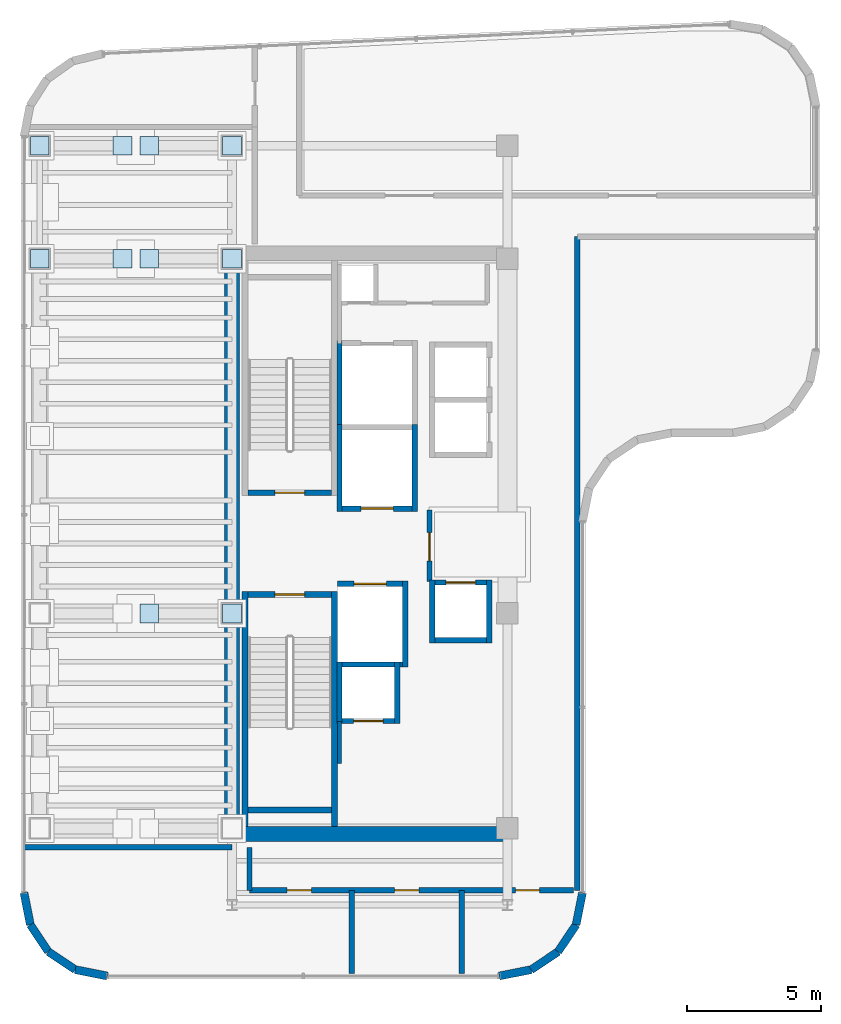
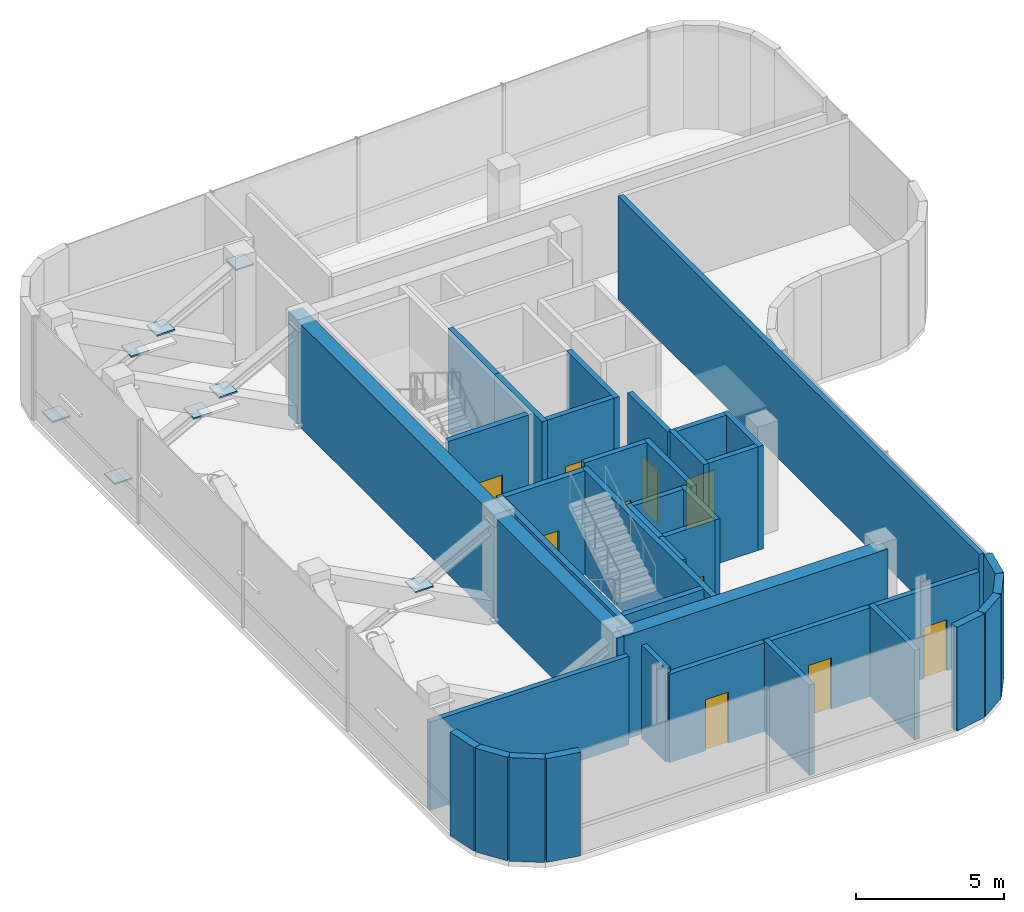
# One storey, part 16 of 19: 37 walls, 10 doors, 10 plates, 10 openings.
"""IFC4 building model written with IfcOpenShell, lengths in metres."""

from ifc_helpers import new_model, si_unit, direction, frame, frame_2d, origin, origin_2d, place, context, subcontext, project, spatial, rectangle, extrude, source, transform, mapped, material, layer, layer_set, type_object, element, fill, save


model = new_model("IFC4")

# Units and contexts
model_context = context("Model", 3, precision=1e-05, world=origin(), true_north=direction((0.0, 1.0)))
body_context = subcontext(model_context, "Body", "Model", "MODEL_VIEW")
ifc_project = project(units=[si_unit("LENGTHUNIT", "METRE"), si_unit("AREAUNIT", "SQUARE_METRE"), si_unit("VOLUMEUNIT", "CUBIC_METRE"), si_unit("PLANEANGLEUNIT", "RADIAN"), si_unit("MASSUNIT", "GRAM", prefix="KILO")], contexts=[model_context])

# Site, building, storey
site_placement = place(None, origin())
site = spatial("IfcSite", under=ifc_project, at=site_placement, CompositionType="ELEMENT")
building_placement = place(site_placement, origin())
building = spatial("IfcBuilding", under=site, at=building_placement, Name="Valdorenza Pilgrim Sanctuary Tower", CompositionType="ELEMENT")
storey_placement = place(building_placement, frame((0.0, 0.0, 261.5)))
storey = spatial("IfcBuildingStorey", under=building, at=storey_placement, Name="L68", CompositionType="ELEMENT", Elevation=261.5)

# Plates
ifc_material_1 = material(Name="Steel ASTM A572 Grade 42", Category="steel")
ifc_layer_1 = layer(ifc_material_1, 0.06005859375, Name="Steel ASTM A572 Grade 42")
ifc_layer_set_1 = layer_set([ifc_layer_1], Name="Steel ASTM A572 Grade 42")
plate_type = type_object("IfcPlateType", Name="PLT-CAP-60", PredefinedType="SHEET", material=ifc_layer_set_1)
shared_shape = source(origin(), body_context, "Body", "SweptSolid", [
    extrude(rectangle(XDim=0.699951171875, YDim=0.699951171875, at=origin_2d()), origin(), (0.0, 0.0, 1.0), 0.06005859375),
])
for number, where, z_axis, x_axis, name in (
    (1, (-22.64990234375, -2.60009765625, 3.919921875), (0.0, 0.0, 1.0), (1.0, 0.0, 0.0), "L68 Outrigger Truss Counter-Diagonal WA2B Lower Segment End Connection Plate 1"),
    (2, (-25.72998046875, -2.60009765625, 2.3046875), (0.0, 0.0, 1.0), (1.0, 0.0, 0.0), "L68 Outrigger Truss Counter-Diagonal WA2B Lower Segment End Connection Plate 2"),
    (3, (-22.64990234375, 10.60009765625, 3.919921875), (0.0, 0.0, 1.0), (1.0, 0.0, 0.0), "L68 Outrigger Truss Counter-Diagonal WA3B Lower Segment End Connection Plate 1"),
    (4, (-25.72998046875, 10.60009765625, 2.3046875), (0.0, 0.0, 1.0), (1.0, 0.0, 0.0), "L68 Outrigger Truss Counter-Diagonal WA3B Lower Segment End Connection Plate 2"),
    (5, (-26.719970703125, 10.60009765625, 1.785400390625), (0.0, 0.0, 1.0), (1.0, 0.0, 0.0), "L68 Outrigger Truss Counter-Diagonal WA3B Upper Segment End Connection Plate 1"),
    (6, (-29.800048828125, 10.60009765625, 0.169921875), (0.0, 0.0, 1.0), (1.0, 0.0, 0.0), "L68 Outrigger Truss Counter-Diagonal WA3B Upper Segment End Connection Plate 2"),
    (7, (-22.64990234375, 14.800048828125, 3.919921875), (0.0, 0.0, 1.0), (1.0, 0.0, 0.0), "L68 Outrigger Truss Counter-Diagonal WA4B Lower Segment End Connection Plate 1"),
    (8, (-25.72998046875, 14.800048828125, 2.3046875), (0.0, 0.0, 1.0), (1.0, 0.0, 0.0), "L68 Outrigger Truss Counter-Diagonal WA4B Lower Segment End Connection Plate 2"),
    (9, (-26.719970703125, 14.800048828125, 1.785400390625), (0.0, 0.0, 1.0), (1.0, 0.0, 0.0), "L68 Outrigger Truss Counter-Diagonal WA4B Upper Segment End Connection Plate 1"),
    (10, (-29.800048828125, 14.800048828125, 0.169921875), (0.0, 0.0, 1.0), (1.0, 0.0, 0.0), "L68 Outrigger Truss Counter-Diagonal WA4B Upper Segment End Connection Plate 2"),
):
    element("IfcPlate", number, at=place(storey_placement, frame(where, z_axis=z_axis, x_axis=x_axis)), inside=storey, type_object=plate_type, Name=name, PredefinedType="SHEET", context=body_context, shape_type="MappedRepresentation", body=[
        mapped(shared_shape, transform((0.0, 0.0, 0.0), x_axis=(1.0, 0.0, 0.0), y_axis=(0.0, 1.0, 0.0), z_axis=(0.0, 0.0, 1.0), scale=1.0)),
    ])

# Walls
ifc_material_2 = material(Name="Acoustic twin-stud gypsum partition", Category="gypsum")
ifc_layer_2 = layer(ifc_material_2, 0.159912109375, Name="Acoustic twin-stud gypsum partition")
ifc_layer_set_2 = layer_set([ifc_layer_2], Name="Acoustic twin-stud gypsum partition")
wall_type_1 = type_object("IfcWallType", Name="WAL-COR-160", PredefinedType="PARTITIONING", material=ifc_layer_set_2)
wall_1_placement = place(storey_placement, frame((-18.64990234375, -8.179931640625, 0.0), z_axis=(0.0, 0.0, 1.0), x_axis=(0.0, 1.0, 0.0)))
element("IfcWall", 11, at=wall_1_placement, inside=storey, type_object=wall_type_1, Name="L68 Core A South Lift Hall West Wall", PredefinedType="PARTITIONING", context=body_context, shape_type="SweptSolid", body=[
    extrude(rectangle(XDim=1.559814453125, YDim=0.159912109375, at=frame_2d((0.77978515625, 0.0))), origin(), (0.0, 0.0, 1.0), 4.260009765625),
])
ifc_material_3 = material(Name="Concrete C50/60", Category="concrete")
ifc_layer_3 = layer(ifc_material_3, 0.550048828125, Name="Concrete C50/60")
ifc_layer_set_3 = layer_set([ifc_layer_3], Name="Concrete C50/60")
wall_type_2 = type_object("IfcWallType", Name="WAL-COR-550", PredefinedType="SHEAR", material=ifc_layer_set_3)
wall_2_placement = place(storey_placement, frame((-22.64990234375, -11.074951171875, 0.0), z_axis=(0.0, 0.0, 1.0), x_axis=(0.0, 1.0, 0.0)))
element("IfcWall", 12, at=wall_2_placement, inside=storey, type_object=wall_type_2, Name="L68 Split Core A Shear Wall W", PredefinedType="SHEAR", context=body_context, shape_type="SweptSolid", body=[
    extrude(rectangle(XDim=22.14990234375, YDim=0.550048828125, at=frame_2d((11.074951171875, 0.0))), origin(), (0.0, 0.0, 1.0), 4.260009765625),
])
wall_3_placement = place(storey_placement, frame((-22.64990234375, -10.800048828125, 0.0), z_axis=(0.0, 0.0, 1.0), x_axis=(1.0, 0.0, 0.0)))
element("IfcWall", 13, at=wall_3_placement, inside=storey, type_object=wall_type_2, Name="L68 Split Core A Shear Wall S", PredefinedType="SHEAR", context=body_context, shape_type="SweptSolid", body=[
    extrude(rectangle(XDim=10.25, YDim=0.550048828125, at=frame_2d((5.125, 0.0))), origin(), (0.0, 0.0, 1.0), 4.260009765625),
])
ifc_material_4 = material(Name="Honed travertine limestone", Category="masonry")
ifc_layer_4 = layer(ifc_material_4, 0.300048828125, Name="Honed travertine limestone")
ifc_layer_set_4 = layer_set([ifc_layer_4], Name="Honed travertine limestone")
wall_type_3 = type_object("IfcWallType", Name="WAL-EXT-300", PredefinedType="SOLIDWALL", material=ifc_layer_set_4)
wall_4_placement = place(storey_placement, frame((-9.610107421875, -12.9892578125, 0.0), z_axis=(0.0, 0.0, 1.0), x_axis=(-0.194996050505, -0.980804027463, 0.0)))
element("IfcWall", 14, at=wall_4_placement, inside=storey, type_object=wall_type_3, Name="L68 Rounded Wind-Corner Stone Pier 22", PredefinedType="SOLIDWALL", context=body_context, shape_type="SweptSolid", body=[
    extrude(rectangle(XDim=1.2158203125, YDim=0.300048828125, at=frame_2d((0.60791015625, 0.0))), origin(), (0.0, 0.0, 1.0), 4.260009765625),
])
for number, where, z_axis, x_axis, name in (
    (15, (-9.84716796875, -14.181640625, 0.0), (0.0, 0.0, 1.0), (-0.555635100982, -0.831426265255, 0.0), "L68 Rounded Wind-Corner Stone Pier 23"),
    (16, (-10.5166015625, -15.183349609375, 0.0), (0.0, 0.0, 1.0), (-0.831426265255, -0.555635100982, 0.0), "L68 Rounded Wind-Corner Stone Pier 24"),
):
    element("IfcWall", number, at=place(storey_placement, frame(where, z_axis=z_axis, x_axis=x_axis)), inside=storey, type_object=wall_type_3, Name=name, PredefinedType="SOLIDWALL", context=body_context, shape_type="SweptSolid", body=[
        extrude(rectangle(XDim=1.204833984375, YDim=0.300048828125, at=frame_2d((0.6025390625, 0.0))), origin(), (0.0, 0.0, 1.0), 4.260009765625),
    ])
for number, where, z_axis, x_axis, name in (
    (17, (-11.518310546875, -15.852783203125, 0.0), (0.0, 0.0, 1.0), (-0.980765602568, -0.195189223115, 0.0), "L68 Rounded Wind-Corner Stone Pier 25"),
    (18, (-27.289306640625, -16.090087890625, 0.0), (0.0, 0.0, 1.0), (-0.980765602568, 0.195189223115, 0.0), "L68 Rounded Wind-Corner Stone Pier 27"),
):
    element("IfcWall", number, at=place(storey_placement, frame(where, z_axis=z_axis, x_axis=x_axis)), inside=storey, type_object=wall_type_3, Name=name, PredefinedType="SOLIDWALL", context=body_context, shape_type="SweptSolid", body=[
        extrude(rectangle(XDim=1.2158203125, YDim=0.300048828125, at=frame_2d((0.60791015625, 0.0))), origin(), (0.0, 0.0, 1.0), 4.260009765625),
    ])
for number, where, z_axis, x_axis, name in (
    (19, (-28.481689453125, -15.852783203125, 0.0), (0.0, 0.0, 1.0), (-0.831426265255, 0.555635100982, 0.0), "L68 Rounded Wind-Corner Stone Pier 28"),
    (20, (-29.4833984375, -15.183349609375, 0.0), (0.0, 0.0, 1.0), (-0.555635100982, 0.831426265255, 0.0), "L68 Rounded Wind-Corner Stone Pier 29"),
):
    element("IfcWall", number, at=place(storey_placement, frame(where, z_axis=z_axis, x_axis=x_axis)), inside=storey, type_object=wall_type_3, Name=name, PredefinedType="SOLIDWALL", context=body_context, shape_type="SweptSolid", body=[
        extrude(rectangle(XDim=1.204833984375, YDim=0.300048828125, at=frame_2d((0.6025390625, 0.0))), origin(), (0.0, 0.0, 1.0), 4.260009765625),
    ])
wall_5_placement = place(storey_placement, frame((-30.15283203125, -14.181640625, 0.0), z_axis=(0.0, 0.0, 1.0), x_axis=(-0.194996050505, 0.980804027463, 0.0)))
element("IfcWall", 21, at=wall_5_placement, inside=storey, type_object=wall_type_3, Name="L68 Rounded Wind-Corner Stone Pier 30", PredefinedType="SOLIDWALL", context=body_context, shape_type="SweptSolid", body=[
    extrude(rectangle(XDim=1.2158203125, YDim=0.300048828125, at=frame_2d((0.60791015625, 0.0))), origin(), (0.0, 0.0, 1.0), 4.260009765625),
])

# Wall, opening, door
ifc_material_5 = material(Name="Gypsum shaftwall partition", Category="gypsum")
ifc_layer_5 = layer(ifc_material_5, 0.199951171875, Name="Gypsum shaftwall partition")
ifc_layer_set_5 = layer_set([ifc_layer_5], Name="Gypsum shaftwall partition")
wall_type_4 = type_object("IfcWallType", Name="WAL-FFL-200", PredefinedType="PARTITIONING", material=ifc_layer_set_5)
wall_6_placement = place(storey_placement, frame((-15.300048828125, -1.419921875, 0.0), z_axis=(0.0, 0.0, 1.0), x_axis=(0.0, 1.0, 0.0)))
wall_6 = element("IfcWall", 22, at=wall_6_placement, inside=storey, type_object=wall_type_4, Name="L68 Core A Firefighting Lobby East Wall", PredefinedType="PARTITIONING", context=body_context, shape_type="SweptSolid", body=[
    extrude(rectangle(XDim=2.669921875, YDim=0.199951171875, at=frame_2d((1.3349609375, 0.0))), origin(), (0.0, 0.0, 1.0), 4.260009765625),
])
opening_1_placement = place(wall_6_placement, frame((0.780029296875, 0.0, 0.0)))
opening_1 = element("IfcOpeningElement", 23, at=opening_1_placement, cuts=wall_6, Name="Opening DR-FL1", PredefinedType="OPENING", context=body_context, shape_type="SweptSolid", body=[
    extrude(rectangle(XDim=1.050048828125, YDim=2.14990234375, at=frame_2d((0.52490234375, 1.074951171875))), frame((0.0, 0.11474609375, 0.0), z_axis=(0.0, -1.0, 0.0), x_axis=(1.0, 0.0, 0.0)), (0.0, 0.0, 1.0), 0.229736328125),
])
ifc_material_6 = material(Name="Painted galvanized steel", Category="steel")
door_type_1 = type_object("IfcDoorType", Name="DR-FFL-1050", OperationType="NOTDEFINED", PredefinedType="DOOR", material=ifc_material_6)
door_1_placement = place(opening_1_placement, origin())
door_1 = element("IfcDoor", 24, at=door_1_placement, inside=storey, type_object=door_type_1, Name="L68 Core A Firefighting Lobby Door", OperationType="SINGLE_SWING_RIGHT", OverallHeight=2.14990234375, OverallWidth=1.050048828125, PredefinedType="DOOR", context=body_context, shape_type="SweptSolid", body=[
    extrude(rectangle(XDim=1.050048828125, YDim=2.14990234375, at=frame_2d((0.52490234375, 1.074951171875))), frame((0.0, 0.02490234375, 0.0), z_axis=(0.0, -1.0, 0.0), x_axis=(1.0, 0.0, 0.0)), (0.0, 0.0, 1.0), 0.050048828125),
])
fill(opening_1, door_1)

# Wall
wall_7_placement = place(storey_placement, frame((-30.389892578125, -11.300048828125, 0.0), z_axis=(0.0, 0.0, 1.0), x_axis=(1.0, 0.0, 0.0)))
element("IfcWall", 25, at=wall_7_placement, inside=storey, type_object=wall_type_4, Name="L68 L68 Outrigger Bay South Wall", PredefinedType="PARTITIONING", context=body_context, shape_type="SweptSolid", body=[
    extrude(rectangle(XDim=7.739990234375, YDim=0.199951171875, at=frame_2d((3.8701171875, 0.0))), origin(), (0.0, 0.0, 1.0), 3.634033203125),
])

# Wall, openings, doors
wall_8_placement = place(storey_placement, frame((-22.0, -12.89990234375, 0.0), z_axis=(0.0, 0.0, 1.0), x_axis=(1.0, 0.0, 0.0)))
wall_8 = element("IfcWall", 26, at=wall_8_placement, inside=storey, type_object=wall_type_4, Name="L68 L68 South Plant Corridor Wall", PredefinedType="PARTITIONING", context=body_context, shape_type="SweptSolid", body=[
    extrude(rectangle(XDim=12.050048828125, YDim=0.199951171875, at=frame_2d((6.02490234375, 0.0))), origin(), (0.0, 0.0, 1.0), 3.634033203125),
])
opening_2_placement = place(wall_8_placement, frame((1.39990234375, 0.0, 0.0)))
opening_2 = element("IfcOpeningElement", 27, at=opening_2_placement, cuts=wall_8, Name="Opening DR-RM1", PredefinedType="OPENING", context=body_context, shape_type="SweptSolid", body=[
    extrude(rectangle(XDim=0.89990234375, YDim=2.10009765625, at=frame_2d((0.449951171875, 1.050048828125))), frame((0.0, 0.11474609375, 0.0), z_axis=(0.0, -1.0, 0.0), x_axis=(1.0, 0.0, 0.0)), (0.0, 0.0, 1.0), 0.229736328125),
])
opening_3_placement = place(wall_8_placement, frame((5.39990234375, 0.0, 0.0)))
opening_3 = element("IfcOpeningElement", 28, at=opening_3_placement, cuts=wall_8, Name="Opening DR-RM1", PredefinedType="OPENING", context=body_context, shape_type="SweptSolid", body=[
    extrude(rectangle(XDim=0.89990234375, YDim=2.10009765625, at=frame_2d((0.449951171875, 1.050048828125))), frame((0.0, 0.11474609375, 0.0), z_axis=(0.0, -1.0, 0.0), x_axis=(1.0, 0.0, 0.0)), (0.0, 0.0, 1.0), 0.229736328125),
])
opening_4_placement = place(wall_8_placement, frame((9.89990234375, 0.0, 0.0)))
opening_4 = element("IfcOpeningElement", 29, at=opening_4_placement, cuts=wall_8, Name="Opening DR-RM1", PredefinedType="OPENING", context=body_context, shape_type="SweptSolid", body=[
    extrude(rectangle(XDim=0.89990234375, YDim=2.10009765625, at=frame_2d((0.449951171875, 1.050048828125))), frame((0.0, 0.11474609375, 0.0), z_axis=(0.0, -1.0, 0.0), x_axis=(1.0, 0.0, 0.0)), (0.0, 0.0, 1.0), 0.229736328125),
])
ifc_material_7 = material(Name="Solid-core European oak timber", Category="wood")
door_type_2 = type_object("IfcDoorType", Name="DR-ROOM-900", OperationType="NOTDEFINED", PredefinedType="DOOR", material=ifc_material_7)
door_2_placement = place(opening_2_placement, origin())
door_2 = element("IfcDoor", 30, at=door_2_placement, inside=storey, type_object=door_type_2, Name="L68 L68 Chilled-Water Booster Plant Room Door", OperationType="SINGLE_SWING_RIGHT", OverallHeight=2.10009765625, OverallWidth=0.89990234375, PredefinedType="DOOR", context=body_context, shape_type="SweptSolid", body=[
    extrude(rectangle(XDim=0.89990234375, YDim=2.10009765625, at=frame_2d((0.449951171875, 1.050048828125))), frame((0.0, 0.02490234375, 0.0), z_axis=(0.0, -1.0, 0.0), x_axis=(1.0, 0.0, 0.0)), (0.0, 0.0, 1.0), 0.050048828125),
])
fill(opening_2, door_2)
door_3_placement = place(opening_3_placement, frame((0.89990234375, 0.0, 0.0), z_axis=(0.0, 0.0, 1.0), x_axis=(-1.0, 0.0, 0.0)))
door_3 = element("IfcDoor", 31, at=door_3_placement, inside=storey, type_object=door_type_2, Name="L68 L68 Primary Air-Handling Plant Room Door", OperationType="SINGLE_SWING_LEFT", OverallHeight=2.10009765625, OverallWidth=0.89990234375, PredefinedType="DOOR", context=body_context, shape_type="SweptSolid", body=[
    extrude(rectangle(XDim=0.89990234375, YDim=2.10009765625, at=frame_2d((0.449951171875, 1.050048828125))), frame((0.0, 0.02490234375, 0.0), z_axis=(0.0, -1.0, 0.0), x_axis=(1.0, 0.0, 0.0)), (0.0, 0.0, 1.0), 0.050048828125),
])
fill(opening_3, door_3)
door_4_placement = place(opening_4_placement, origin())
door_4 = element("IfcDoor", 32, at=door_4_placement, inside=storey, type_object=door_type_2, Name="L68 L68 Electrical Substation Transformer Plant Room Door", OperationType="SINGLE_SWING_RIGHT", OverallHeight=2.10009765625, OverallWidth=0.89990234375, PredefinedType="DOOR", context=body_context, shape_type="SweptSolid", body=[
    extrude(rectangle(XDim=0.89990234375, YDim=2.10009765625, at=frame_2d((0.449951171875, 1.050048828125))), frame((0.0, 0.02490234375, 0.0), z_axis=(0.0, -1.0, 0.0), x_axis=(1.0, 0.0, 0.0)), (0.0, 0.0, 1.0), 0.050048828125),
])
fill(opening_4, door_4)

# Walls
for number, where, z_axis, x_axis, name in (
    (33, (-18.199951171875, -16.0, 0.0), (0.0, 0.0, 1.0), (0.0, 1.0, 0.0), "L68 L68 South Plant Divider 1"),
    (34, (-14.10009765625, -16.0, 0.0), (0.0, 0.0, 1.0), (0.0, 1.0, 0.0), "L68 L68 South Plant Divider 2"),
):
    element("IfcWall", number, at=place(storey_placement, frame(where, z_axis=z_axis, x_axis=x_axis)), inside=storey, type_object=wall_type_4, Name=name, PredefinedType="PARTITIONING", context=body_context, shape_type="SweptSolid", body=[
        extrude(rectangle(XDim=3.10009765625, YDim=0.199951171875, at=frame_2d((1.550048828125, 0.0))), origin(), (0.0, 0.0, 1.0), 3.7060546875),
    ])
wall_9_placement = place(storey_placement, frame((-22.0, -12.89990234375, 0.0), z_axis=(0.0, 0.0, 1.0), x_axis=(0.0, 1.0, 0.0)))
element("IfcWall", 35, at=wall_9_placement, inside=storey, type_object=wall_type_4, Name="L68 L68 South Corridor West End", PredefinedType="PARTITIONING", context=body_context, shape_type="SweptSolid", body=[
    extrude(rectangle(XDim=1.599853515625, YDim=0.199951171875, at=frame_2d((0.7998046875, 0.0))), origin(), (0.0, 0.0, 1.0), 3.839111328125),
])
wall_10_placement = place(storey_placement, frame((-9.800048828125, -12.89990234375, 0.0), z_axis=(0.0, 0.0, 1.0), x_axis=(0.0, 1.0, 0.0)))
element("IfcWall", 36, at=wall_10_placement, inside=storey, type_object=wall_type_4, Name="L68 L68 Core A East Corridor Wall", PredefinedType="PARTITIONING", context=body_context, shape_type="SweptSolid", body=[
    extrude(rectangle(XDim=24.31982421875, YDim=0.199951171875, at=frame_2d((12.159912109375, 0.0))), origin(), (0.0, 0.0, 1.0), 4.260009765625),
])
ifc_material_8 = material(Name="Autoclaved aerated concrete blockwork", Category="masonry")
ifc_layer_6 = layer(ifc_material_8, 0.199951171875, Name="Autoclaved aerated concrete blockwork")
ifc_layer_set_6 = layer_set([ifc_layer_6], Name="Autoclaved aerated concrete blockwork")
wall_type_5 = type_object("IfcWallType", Name="WAL-SHF-200", PredefinedType="MOVABLE", material=ifc_layer_set_6)
for number, where, z_axis, x_axis, name in (
    (37, (-18.64990234375, 1.199951171875, 0.0), (0.0, 0.0, 1.0), (0.0, 1.0, 0.0), "L68 Lift FFL-01 Hoistway Wall West"),
    (38, (-15.85009765625, 1.199951171875, 0.0), (0.0, 0.0, 1.0), (0.0, 1.0, 0.0), "L68 Lift FFL-01 Hoistway Wall East"),
):
    element("IfcWall", number, at=place(storey_placement, frame(where, z_axis=z_axis, x_axis=x_axis)), inside=storey, type_object=wall_type_5, Name=name, PredefinedType="MOVABLE", context=body_context, shape_type="SweptSolid", body=[
        extrude(rectangle(XDim=3.22509765625, YDim=0.199951171875, at=frame_2d((1.612548828125, 0.0))), origin(), (0.0, 0.0, 1.0), 4.260009765625),
    ])

# Wall, opening, door
wall_11_placement = place(storey_placement, frame((-18.550048828125, 1.300048828125, 0.0), z_axis=(0.0, 0.0, 1.0), x_axis=(1.0, 0.0, 0.0)))
wall_11 = element("IfcWall", 39, at=wall_11_placement, inside=storey, type_object=wall_type_5, Name="L68 Lift FFL-01 Hoistway Wall South", PredefinedType="MOVABLE", context=body_context, shape_type="SweptSolid", body=[
    extrude(rectangle(XDim=2.60009765625, YDim=0.199951171875, at=frame_2d((1.300048828125, 0.0))), origin(), (0.0, 0.0, 1.0), 4.260009765625),
])
opening_5_placement = place(wall_11_placement, frame((0.699951171875, 0.0, 0.0)))
opening_5 = element("IfcOpeningElement", 40, at=opening_5_placement, cuts=wall_11, Name="Opening LD-02", PredefinedType="OPENING", context=body_context, shape_type="SweptSolid", body=[
    extrude(rectangle(XDim=1.199951171875, YDim=2.10009765625, at=frame_2d((0.60009765625, 1.050048828125))), frame((0.0, 0.11474609375, 0.0), z_axis=(0.0, -1.0, 0.0), x_axis=(1.0, 0.0, 0.0)), (0.0, 0.0, 1.0), 0.229736328125),
])
ifc_material_9 = material(Name="Brushed stainless steel Grade 316", Category="steel")
door_type_3 = type_object("IfcDoorType", Name="DR-LFT-1200", OperationType="DOUBLE_DOOR_SLIDING", PredefinedType="DOOR", material=ifc_material_9)
door_5_placement = place(opening_5_placement, origin())
door_5 = element("IfcDoor", 41, at=door_5_placement, inside=storey, type_object=door_type_3, Name="L68 Lift FFL-01 Sliding Landing Door", OperationType="DOUBLE_DOOR_SLIDING", OverallHeight=2.10009765625, OverallWidth=1.199951171875, PredefinedType="DOOR", context=body_context, shape_type="SweptSolid", body=[
    extrude(rectangle(XDim=1.199951171875, YDim=2.10009765625, at=frame_2d((0.60009765625, 1.050048828125))), frame((0.0, 0.02490234375, 0.0), z_axis=(0.0, -1.0, 0.0), x_axis=(1.0, 0.0, 0.0)), (0.0, 0.0, 1.0), 0.050048828125),
])
fill(opening_5, door_5)

# Walls
wall_12_placement = place(storey_placement, frame((-16.199951171875, -4.60009765625, 0.0), z_axis=(0.0, 0.0, 1.0), x_axis=(0.0, 1.0, 0.0)))
element("IfcWall", 42, at=wall_12_placement, inside=storey, type_object=wall_type_5, Name="L68 Lift FFL-02 Hoistway Wall East", PredefinedType="MOVABLE", context=body_context, shape_type="SweptSolid", body=[
    extrude(rectangle(XDim=3.2001953125, YDim=0.199951171875, at=frame_2d((1.60009765625, 0.0))), origin(), (0.0, 0.0, 1.0), 4.260009765625),
])
wall_13_placement = place(storey_placement, frame((-18.719970703125, -4.5, 0.0), z_axis=(0.0, 0.0, 1.0), x_axis=(1.0, 0.0, 0.0)))
element("IfcWall", 43, at=wall_13_placement, inside=storey, type_object=wall_type_5, Name="L68 Lift FFL-02 Hoistway Wall South", PredefinedType="MOVABLE", context=body_context, shape_type="SweptSolid", body=[
    extrude(rectangle(XDim=2.419921875, YDim=0.199951171875, at=frame_2d((1.2099609375, 0.0))), origin(), (0.0, 0.0, 1.0), 4.260009765625),
])

# Wall, opening, door
wall_14_placement = place(storey_placement, frame((-18.719970703125, -1.5, 0.0), z_axis=(0.0, 0.0, 1.0), x_axis=(1.0, 0.0, 0.0)))
wall_14 = element("IfcWall", 44, at=wall_14_placement, inside=storey, type_object=wall_type_5, Name="L68 Lift FFL-02 Hoistway Wall North", PredefinedType="MOVABLE", context=body_context, shape_type="SweptSolid", body=[
    extrude(rectangle(XDim=2.419921875, YDim=0.199951171875, at=frame_2d((1.2099609375, 0.0))), origin(), (0.0, 0.0, 1.0), 4.260009765625),
])
opening_6_placement = place(wall_14_placement, frame((0.610107421875, 0.0, 0.0)))
opening_6 = element("IfcOpeningElement", 45, at=opening_6_placement, cuts=wall_14, Name="Opening LD-02", PredefinedType="OPENING", context=body_context, shape_type="SweptSolid", body=[
    extrude(rectangle(XDim=1.199951171875, YDim=2.10009765625, at=frame_2d((0.60009765625, 1.050048828125))), frame((0.0, 0.11474609375, 0.0), z_axis=(0.0, -1.0, 0.0), x_axis=(1.0, 0.0, 0.0)), (0.0, 0.0, 1.0), 0.229736328125),
])
door_6_placement = place(opening_6_placement, origin())
door_6 = element("IfcDoor", 46, at=door_6_placement, inside=storey, type_object=door_type_3, Name="L68 Lift FFL-02 Sliding Landing Door", OperationType="DOUBLE_DOOR_SLIDING", OverallHeight=2.10009765625, OverallWidth=1.199951171875, PredefinedType="DOOR", context=body_context, shape_type="SweptSolid", body=[
    extrude(rectangle(XDim=1.199951171875, YDim=2.10009765625, at=frame_2d((0.60009765625, 1.050048828125))), frame((0.0, 0.02490234375, 0.0), z_axis=(0.0, -1.0, 0.0), x_axis=(1.0, 0.0, 0.0)), (0.0, 0.0, 1.0), 0.050048828125),
])
fill(opening_6, door_6)

# Walls
wall_15_placement = place(storey_placement, frame((-18.64990234375, 4.22509765625, 0.0), z_axis=(0.0, 0.0, 1.0), x_axis=(0.0, 1.0, 0.0)))
element("IfcWall", 47, at=wall_15_placement, inside=storey, type_object=wall_type_5, Name="L68 Lift SVL-01 Hoistway Wall West", PredefinedType="MOVABLE", context=body_context, shape_type="SweptSolid", body=[
    extrude(rectangle(XDim=3.324951171875, YDim=0.199951171875, at=frame_2d((1.66259765625, 0.0))), origin(), (0.0, 0.0, 1.0), 4.260009765625),
])
for number, where, z_axis, x_axis, name in (
    (48, (-18.64990234375, -6.699951171875, 0.0), (0.0, 0.0, 1.0), (0.0, 1.0, 0.0), "L68 Lift PL-11 Hoistway Wall West"),
    (49, (-16.5, -6.699951171875, 0.0), (0.0, 0.0, 1.0), (0.0, 1.0, 0.0), "L68 Lift PL-11 Hoistway Wall East"),
):
    element("IfcWall", number, at=place(storey_placement, frame(where, z_axis=z_axis, x_axis=x_axis)), inside=storey, type_object=wall_type_5, Name=name, PredefinedType="MOVABLE", context=body_context, shape_type="SweptSolid", body=[
        extrude(rectangle(XDim=2.300048828125, YDim=0.199951171875, at=frame_2d((1.14990234375, 0.0))), origin(), (0.0, 0.0, 1.0), 4.260009765625),
    ])

# Wall, opening, door
wall_16_placement = place(storey_placement, frame((-18.550048828125, -6.60009765625, 0.0), z_axis=(0.0, 0.0, 1.0), x_axis=(1.0, 0.0, 0.0)))
wall_16 = element("IfcWall", 50, at=wall_16_placement, inside=storey, type_object=wall_type_5, Name="L68 Lift PL-11 Hoistway Wall South", PredefinedType="MOVABLE", context=body_context, shape_type="SweptSolid", body=[
    extrude(rectangle(XDim=1.949951171875, YDim=0.199951171875, at=frame_2d((0.97509765625, 0.0))), origin(), (0.0, 0.0, 1.0), 4.260009765625),
])
opening_7_placement = place(wall_16_placement, frame((0.425048828125, 0.0, 0.0)))
opening_7 = element("IfcOpeningElement", 51, at=opening_7_placement, cuts=wall_16, Name="Opening LD-01", PredefinedType="OPENING", context=body_context, shape_type="SweptSolid", body=[
    extrude(rectangle(XDim=1.10009765625, YDim=2.10009765625, at=frame_2d((0.550048828125, 1.050048828125))), frame((0.0, 0.11474609375, 0.0), z_axis=(0.0, -1.0, 0.0), x_axis=(1.0, 0.0, 0.0)), (0.0, 0.0, 1.0), 0.229736328125),
])
door_type_4 = type_object("IfcDoorType", Name="DR-LFT-1100", OperationType="DOUBLE_DOOR_SLIDING", PredefinedType="DOOR", material=ifc_material_9)
door_7_placement = place(opening_7_placement, origin())
door_7 = element("IfcDoor", 52, at=door_7_placement, inside=storey, type_object=door_type_4, Name="L68 Lift PL-11 Sliding Landing Door", OperationType="DOUBLE_DOOR_SLIDING", OverallHeight=2.10009765625, OverallWidth=1.10009765625, PredefinedType="DOOR", context=body_context, shape_type="SweptSolid", body=[
    extrude(rectangle(XDim=1.10009765625, YDim=2.10009765625, at=frame_2d((0.550048828125, 1.050048828125))), frame((0.0, 0.02490234375, 0.0), z_axis=(0.0, -1.0, 0.0), x_axis=(1.0, 0.0, 0.0)), (0.0, 0.0, 1.0), 0.050048828125),
])
fill(opening_7, door_7)

# Walls
for number, where, z_axis, x_axis, name in (
    (53, (-15.199951171875, -3.699951171875, 0.0), (0.0, 0.0, 1.0), (0.0, 1.0, 0.0), "L68 Lift PL-12 Hoistway Wall West"),
    (54, (-13.080078125, -3.699951171875, 0.0), (0.0, 0.0, 1.0), (0.0, 1.0, 0.0), "L68 Lift PL-12 Hoistway Wall East"),
):
    element("IfcWall", number, at=place(storey_placement, frame(where, z_axis=z_axis, x_axis=x_axis)), inside=storey, type_object=wall_type_5, Name=name, PredefinedType="MOVABLE", context=body_context, shape_type="SweptSolid", body=[
        extrude(rectangle(XDim=2.349853515625, YDim=0.199951171875, at=frame_2d((1.1748046875, 0.0))), origin(), (0.0, 0.0, 1.0), 4.260009765625),
    ])
wall_17_placement = place(storey_placement, frame((-15.10009765625, -3.60009765625, 0.0), z_axis=(0.0, 0.0, 1.0), x_axis=(1.0, 0.0, 0.0)))
element("IfcWall", 55, at=wall_17_placement, inside=storey, type_object=wall_type_5, Name="L68 Lift PL-12 Hoistway Wall South", PredefinedType="MOVABLE", context=body_context, shape_type="SweptSolid", body=[
    extrude(rectangle(XDim=1.920166015625, YDim=0.199951171875, at=frame_2d((0.9599609375, 0.0))), origin(), (0.0, 0.0, 1.0), 4.260009765625),
])

# Wall, opening, door
wall_18_placement = place(storey_placement, frame((-15.10009765625, -1.449951171875, 0.0), z_axis=(0.0, 0.0, 1.0), x_axis=(1.0, 0.0, 0.0)))
wall_18 = element("IfcWall", 56, at=wall_18_placement, inside=storey, type_object=wall_type_5, Name="L68 Lift PL-12 Hoistway Wall North", PredefinedType="MOVABLE", context=body_context, shape_type="SweptSolid", body=[
    extrude(rectangle(XDim=1.920166015625, YDim=0.199951171875, at=frame_2d((0.9599609375, 0.0))), origin(), (0.0, 0.0, 1.0), 4.260009765625),
])
opening_8_placement = place(wall_18_placement, frame((0.409912109375, 0.0, 0.0)))
opening_8 = element("IfcOpeningElement", 57, at=opening_8_placement, cuts=wall_18, Name="Opening LD-01", PredefinedType="OPENING", context=body_context, shape_type="SweptSolid", body=[
    extrude(rectangle(XDim=1.10009765625, YDim=2.10009765625, at=frame_2d((0.550048828125, 1.050048828125))), frame((0.0, 0.11474609375, 0.0), z_axis=(0.0, -1.0, 0.0), x_axis=(1.0, 0.0, 0.0)), (0.0, 0.0, 1.0), 0.229736328125),
])
door_8_placement = place(opening_8_placement, origin())
door_8 = element("IfcDoor", 58, at=door_8_placement, inside=storey, type_object=door_type_4, Name="L68 Lift PL-12 Sliding Landing Door", OperationType="DOUBLE_DOOR_SLIDING", OverallHeight=2.10009765625, OverallWidth=1.10009765625, PredefinedType="DOOR", context=body_context, shape_type="SweptSolid", body=[
    extrude(rectangle(XDim=1.10009765625, YDim=2.10009765625, at=frame_2d((0.550048828125, 1.050048828125))), frame((0.0, 0.02490234375, 0.0), z_axis=(0.0, -1.0, 0.0), x_axis=(1.0, 0.0, 0.0)), (0.0, 0.0, 1.0), 0.050048828125),
])
fill(opening_8, door_8)

ifc_material_10 = material(Name="Concrete C40/50", Category="concrete")
ifc_layer_7 = layer(ifc_material_10, 0.219970703125, Name="Concrete C40/50")
ifc_layer_set_7 = layer_set([ifc_layer_7], Name="Concrete C40/50")
wall_type_6 = type_object("IfcWallType", Name="WAL-STR-SHF-220", PredefinedType="SHEAR", material=ifc_layer_set_7)
wall_19_placement = place(storey_placement, frame((-22.050048828125, 1.889892578125, 0.0), z_axis=(0.0, 0.0, 1.0), x_axis=(1.0, 0.0, 0.0)))
wall_19 = element("IfcWall", 59, at=wall_19_placement, inside=storey, type_object=wall_type_6, Name="L68 ST-A1 Structural Stairwell Wall S", PredefinedType="SHEAR", context=body_context, shape_type="SweptSolid", body=[
    extrude(rectangle(XDim=3.110107421875, YDim=0.219970703125, at=frame_2d((1.55517578125, 0.0))), origin(), (0.0, 0.0, 1.0), 4.260009765625),
])
opening_9_placement = place(wall_19_placement, frame((1.0, 0.0, 0.0)))
opening_9 = element("IfcOpeningElement", 60, at=opening_9_placement, cuts=wall_19, Name="Opening DR-ST1", PredefinedType="OPENING", context=body_context, shape_type="SweptSolid", body=[
    extrude(rectangle(XDim=1.10009765625, YDim=2.14990234375, at=frame_2d((0.550048828125, 1.074951171875))), frame((0.0, 0.125, 0.0), z_axis=(0.0, -1.0, 0.0), x_axis=(1.0, 0.0, 0.0)), (0.0, 0.0, 1.0), 0.249755859375),
])
door_type_5 = type_object("IfcDoorType", Name="DR-STAIR-1100", OperationType="NOTDEFINED", PredefinedType="DOOR", material=ifc_material_6)
door_9_placement = place(opening_9_placement, frame((1.10009765625, 0.0, 0.0), z_axis=(0.0, 0.0, 1.0), x_axis=(-1.0, 0.0, 0.0)))
door_9 = element("IfcDoor", 61, at=door_9_placement, inside=storey, type_object=door_type_5, Name="L68 Exit Stair ST-A1 Door", OperationType="SINGLE_SWING_LEFT", OverallHeight=2.14990234375, OverallWidth=1.10009765625, PredefinedType="DOOR", context=body_context, shape_type="SweptSolid", body=[
    extrude(rectangle(XDim=1.10009765625, YDim=2.14990234375, at=frame_2d((0.550048828125, 1.074951171875))), frame((0.0, 0.02490234375, 0.0), z_axis=(0.0, -1.0, 0.0), x_axis=(1.0, 0.0, 0.0)), (0.0, 0.0, 1.0), 0.050048828125),
])
fill(opening_9, door_9)

# Walls
for number, where, z_axis, x_axis, name in (
    (62, (-22.159912109375, -10.52490234375, 0.0), (0.0, 0.0, 1.0), (0.0, 1.0, 0.0), "L68 ST-A2 Structural Stairwell Wall W"),
    (63, (-18.830078125, -10.52490234375, 0.0), (0.0, 0.0, 1.0), (0.0, 1.0, 0.0), "L68 ST-A2 Structural Stairwell Wall E"),
):
    element("IfcWall", number, at=place(storey_placement, frame(where, z_axis=z_axis, x_axis=x_axis)), inside=storey, type_object=wall_type_6, Name=name, PredefinedType="SHEAR", context=body_context, shape_type="SweptSolid", body=[
        extrude(rectangle(XDim=8.744873046875, YDim=0.219970703125, at=frame_2d((4.37255859375, 0.0))), origin(), (0.0, 0.0, 1.0), 4.260009765625),
    ])
wall_20_placement = place(storey_placement, frame((-22.050048828125, -9.909912109375, 0.0), z_axis=(0.0, 0.0, 1.0), x_axis=(1.0, 0.0, 0.0)))
element("IfcWall", 64, at=wall_20_placement, inside=storey, type_object=wall_type_6, Name="L68 ST-A2 Structural Stairwell Wall S", PredefinedType="SHEAR", context=body_context, shape_type="SweptSolid", body=[
    extrude(rectangle(XDim=3.110107421875, YDim=0.219970703125, at=frame_2d((1.55517578125, 0.0))), origin(), (0.0, 0.0, 1.0), 4.260009765625),
])

# Wall, opening, door
wall_21_placement = place(storey_placement, frame((-22.050048828125, -1.889892578125, 0.0), z_axis=(0.0, 0.0, 1.0), x_axis=(1.0, 0.0, 0.0)))
wall_21 = element("IfcWall", 65, at=wall_21_placement, inside=storey, type_object=wall_type_6, Name="L68 ST-A2 Structural Stairwell Wall N", PredefinedType="SHEAR", context=body_context, shape_type="SweptSolid", body=[
    extrude(rectangle(XDim=3.110107421875, YDim=0.219970703125, at=frame_2d((1.55517578125, 0.0))), origin(), (0.0, 0.0, 1.0), 4.260009765625),
])
opening_10_placement = place(wall_21_placement, frame((1.0, 0.0, 0.0)))
opening_10 = element("IfcOpeningElement", 66, at=opening_10_placement, cuts=wall_21, Name="Opening DR-ST1", PredefinedType="OPENING", context=body_context, shape_type="SweptSolid", body=[
    extrude(rectangle(XDim=1.10009765625, YDim=2.14990234375, at=frame_2d((0.550048828125, 1.074951171875))), frame((0.0, 0.125, 0.0), z_axis=(0.0, -1.0, 0.0), x_axis=(1.0, 0.0, 0.0)), (0.0, 0.0, 1.0), 0.249755859375),
])
door_10_placement = place(opening_10_placement, origin())
door_10 = element("IfcDoor", 67, at=door_10_placement, inside=storey, type_object=door_type_5, Name="L68 Exit Stair ST-A2 Door", OperationType="SINGLE_SWING_RIGHT", OverallHeight=2.14990234375, OverallWidth=1.10009765625, PredefinedType="DOOR", context=body_context, shape_type="SweptSolid", body=[
    extrude(rectangle(XDim=1.10009765625, YDim=2.14990234375, at=frame_2d((0.550048828125, 1.074951171875))), frame((0.0, 0.02490234375, 0.0), z_axis=(0.0, -1.0, 0.0), x_axis=(1.0, 0.0, 0.0)), (0.0, 0.0, 1.0), 0.050048828125),
])
fill(opening_10, door_10)

save(model, "model.ifc")
